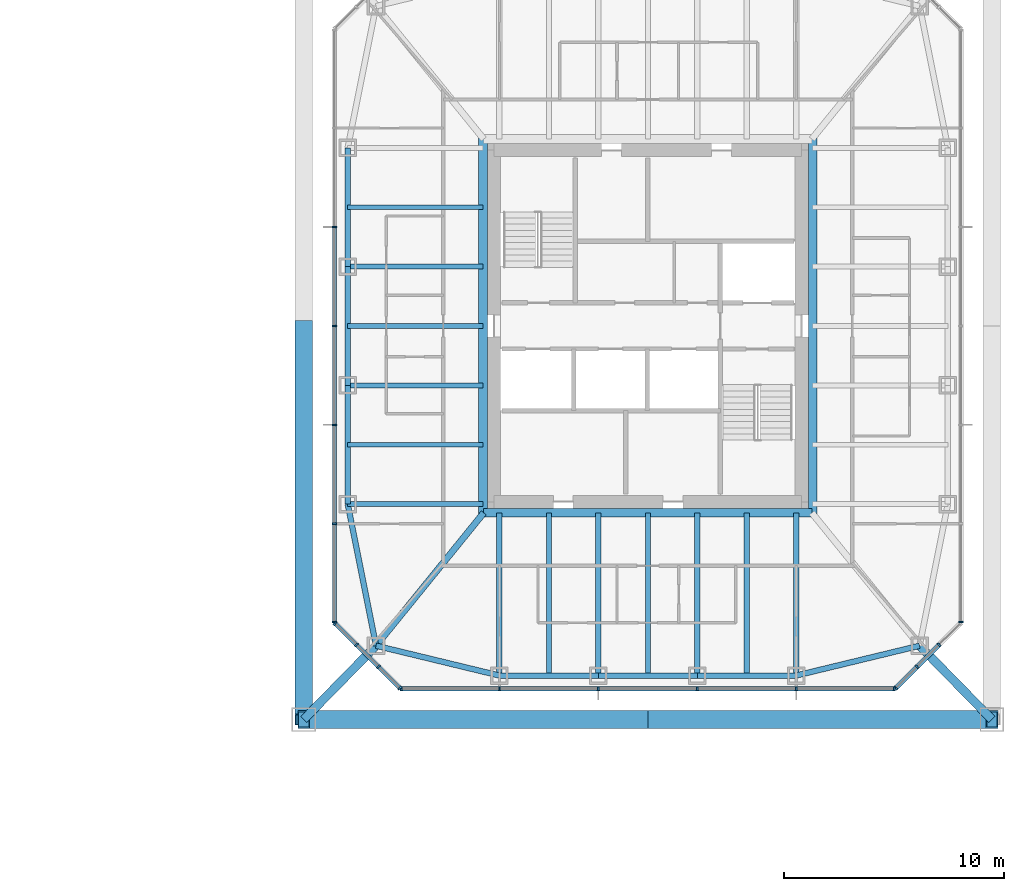
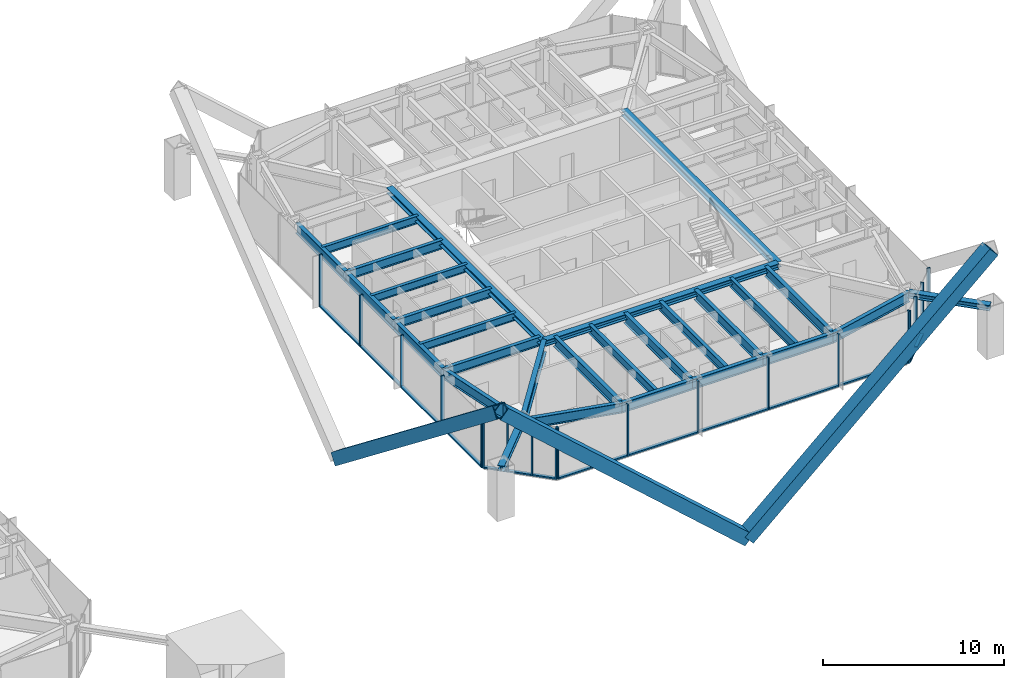
# One storey, part 6 of 23: 38 members, 26 beams, 5 elements without a shape of their own.
"""IFC4 building model written with IfcOpenShell, lengths in metres."""

from ifc_helpers import new_model, si_unit, direction, frame, origin, origin_2d, place, context, subcontext, project, spatial, rectangle, hollow_rectangle, i_section, extrude, material, material_profile, profile_set, type_object, element, aggregate, save


model = new_model("IFC4")

# Units and contexts
model_context = context("Model", 3, precision=1e-05, world=origin(), true_north=direction((0.0, 1.0)))
body_context = subcontext(model_context, "Body", "Model", "MODEL_VIEW")
ifc_project = project(units=[si_unit("LENGTHUNIT", "METRE"), si_unit("AREAUNIT", "SQUARE_METRE"), si_unit("VOLUMEUNIT", "CUBIC_METRE"), si_unit("PLANEANGLEUNIT", "RADIAN"), si_unit("MASSUNIT", "GRAM", prefix="KILO")], contexts=[model_context])

# Site, building, storey
site_placement = place(None, origin())
site = spatial("IfcSite", under=ifc_project, at=site_placement, CompositionType="ELEMENT")
building_placement = place(site_placement, origin())
building = spatial("IfcBuilding", under=site, at=building_placement, Name="Iwan Alto Co-Living Towers", CompositionType="ELEMENT")
storey_placement = place(building_placement, frame((0.0, 0.0, 122.5)))
storey = spatial("IfcBuildingStorey", under=building, at=storey_placement, Name="L33", CompositionType="ELEMENT", Elevation=122.5)

# Curtain wall, members
ifc_material_1 = material(Name="Bronze aluminium unitised frame", Category="aluminium")
curtain_wall_type_1 = type_object("IfcCurtainWallType", Name="CURTAIN WALL CW-C", PredefinedType="NOTDEFINED", material=ifc_material_1)
curtain_wall_1_placement = place(storey_placement, origin())
curtain_wall_1 = element("IfcCurtainWall", 1, at=curtain_wall_1_placement, inside=storey, type_object=curtain_wall_type_1, Name="T2 curtain wall S L33", PredefinedType="NOTDEFINED")
ifc_material_2 = material(Name="Aluminium 6063-T6 bronze anodised", Category="aluminium")
ifc_material_profile_1 = material_profile(ifc_material_2, rectangle(XDim=0.199951171875, YDim=0.080078125, at=origin_2d()), Name="AL 80X200")
ifc_profile_set_1 = profile_set([ifc_material_profile_1], Name="Aluminium 6063-T6 bronze anodised")
member_type_1 = type_object("IfcMemberType", Name="CW-C MULLION 80X200", PredefinedType="MULLION", material=ifc_profile_set_1)
member_1_placement = place(storey_placement, frame((51.7900390625, -16.5, 0.0), z_axis=(0.0, 0.0, 1.0), x_axis=(0.0, 1.0, 0.0)))
member_1 = element("IfcMember", 2, at=member_1_placement, type_object=member_type_1, Name="CW-C mullion 1", PredefinedType="MULLION", context=body_context, shape_type="SweptSolid", body=[
    extrude(rectangle(XDim=0.199951171875, YDim=0.080078125, at=origin_2d()), origin(), (0.0, 0.0, 1.0), 3.5),
])
member_2_placement = place(storey_placement, frame((56.25, -16.5, 0.0), z_axis=(0.0, 0.0, 1.0), x_axis=(0.0, 1.0, 0.0)))
member_2 = element("IfcMember", 3, at=member_2_placement, type_object=member_type_1, Name="CW-C mullion 2", PredefinedType="MULLION", context=body_context, shape_type="SweptSolid", body=[
    extrude(rectangle(XDim=0.199951171875, YDim=0.080078125, at=origin_2d()), origin(), (0.0, 0.0, 1.0), 3.5),
])
member_3_placement = place(storey_placement, frame((60.75, -16.5, 0.0), z_axis=(0.0, 0.0, 1.0), x_axis=(0.0, 1.0, 0.0)))
member_3 = element("IfcMember", 4, at=member_3_placement, type_object=member_type_1, Name="CW-C mullion 3", PredefinedType="MULLION", context=body_context, shape_type="SweptSolid", body=[
    extrude(rectangle(XDim=0.199951171875, YDim=0.080078125, at=origin_2d()), origin(), (0.0, 0.0, 1.0), 3.5),
])
member_4_placement = place(storey_placement, frame((65.25, -16.5, 0.0), z_axis=(0.0, 0.0, 1.0), x_axis=(0.0, 1.0, 0.0)))
member_4 = element("IfcMember", 5, at=member_4_placement, type_object=member_type_1, Name="CW-C mullion 4", PredefinedType="MULLION", context=body_context, shape_type="SweptSolid", body=[
    extrude(rectangle(XDim=0.199951171875, YDim=0.080078125, at=origin_2d()), origin(), (0.0, 0.0, 1.0), 3.5),
])
member_5_placement = place(storey_placement, frame((69.75, -16.5, 0.0), z_axis=(0.0, 0.0, 1.0), x_axis=(0.0, 1.0, 0.0)))
member_5 = element("IfcMember", 6, at=member_5_placement, type_object=member_type_1, Name="CW-C mullion 5", PredefinedType="MULLION", context=body_context, shape_type="SweptSolid", body=[
    extrude(rectangle(XDim=0.199951171875, YDim=0.080078125, at=origin_2d()), origin(), (0.0, 0.0, 1.0), 3.5),
])
member_6_placement = place(storey_placement, frame((74.2099609375, -16.5, 0.0), z_axis=(0.0, 0.0, 1.0), x_axis=(0.0, 1.0, 0.0)))
member_6 = element("IfcMember", 7, at=member_6_placement, type_object=member_type_1, Name="CW-C mullion 6", PredefinedType="MULLION", context=body_context, shape_type="SweptSolid", body=[
    extrude(rectangle(XDim=0.199951171875, YDim=0.080078125, at=origin_2d()), origin(), (0.0, 0.0, 1.0), 3.5),
])

# Curtain wall, member
curtain_wall_2_placement = place(storey_placement, origin())
curtain_wall_2 = element("IfcCurtainWall", 8, at=curtain_wall_2_placement, inside=storey, type_object=curtain_wall_type_1, Name="T2 curtain wall E L33", PredefinedType="NOTDEFINED")
member_7_placement = place(storey_placement, frame((77.25, -13.4599609375, 0.0), z_axis=(0.0, 0.0, 1.0), x_axis=(-1.0, 0.0, 0.0)))
member_7 = element("IfcMember", 9, at=member_7_placement, type_object=member_type_1, Name="CW-C mullion 1", PredefinedType="MULLION", context=body_context, shape_type="SweptSolid", body=[
    extrude(rectangle(XDim=0.199951171875, YDim=0.080078125, at=origin_2d()), origin(), (0.0, 0.0, 1.0), 3.5),
])
aggregate(curtain_wall_2, [member_7])

# Curtain wall, members
curtain_wall_3_placement = place(storey_placement, origin())
curtain_wall_3 = element("IfcCurtainWall", 10, at=curtain_wall_3_placement, inside=storey, type_object=curtain_wall_type_1, Name="T2 curtain wall W L33", PredefinedType="NOTDEFINED")
member_8_placement = place(storey_placement, frame((48.75, 4.5, 0.0), z_axis=(0.0, 0.0, 1.0), x_axis=(1.0, 0.0, 0.0)))
member_8 = element("IfcMember", 11, at=member_8_placement, type_object=member_type_1, Name="CW-C mullion 3", PredefinedType="MULLION", context=body_context, shape_type="SweptSolid", body=[
    extrude(rectangle(XDim=0.199951171875, YDim=0.080078125, at=origin_2d()), origin(), (0.0, 0.0, 1.0), 3.5),
])
member_9_placement = place(storey_placement, frame((48.75, 0.0, 0.0), z_axis=(0.0, 0.0, 1.0), x_axis=(1.0, 0.0, 0.0)))
member_9 = element("IfcMember", 12, at=member_9_placement, type_object=member_type_1, Name="CW-C mullion 4", PredefinedType="MULLION", context=body_context, shape_type="SweptSolid", body=[
    extrude(rectangle(XDim=0.199951171875, YDim=0.080078125, at=origin_2d()), origin(), (0.0, 0.0, 1.0), 3.5),
])
member_10_placement = place(storey_placement, frame((48.75, -4.5, 0.0), z_axis=(0.0, 0.0, 1.0), x_axis=(1.0, 0.0, 0.0)))
member_10 = element("IfcMember", 13, at=member_10_placement, type_object=member_type_1, Name="CW-C mullion 5", PredefinedType="MULLION", context=body_context, shape_type="SweptSolid", body=[
    extrude(rectangle(XDim=0.199951171875, YDim=0.080078125, at=origin_2d()), origin(), (0.0, 0.0, 1.0), 3.5),
])
member_11_placement = place(storey_placement, frame((48.75, -9.0, 0.0), z_axis=(0.0, 0.0, 1.0), x_axis=(1.0, 0.0, 0.0)))
member_11 = element("IfcMember", 14, at=member_11_placement, type_object=member_type_1, Name="CW-C mullion 6", PredefinedType="MULLION", context=body_context, shape_type="SweptSolid", body=[
    extrude(rectangle(XDim=0.199951171875, YDim=0.080078125, at=origin_2d()), origin(), (0.0, 0.0, 1.0), 3.5),
])
member_12_placement = place(storey_placement, frame((48.75, -13.4599609375, 0.0), z_axis=(0.0, 0.0, 1.0), x_axis=(1.0, 0.0, 0.0)))
member_12 = element("IfcMember", 15, at=member_12_placement, type_object=member_type_1, Name="CW-C mullion 7", PredefinedType="MULLION", context=body_context, shape_type="SweptSolid", body=[
    extrude(rectangle(XDim=0.199951171875, YDim=0.080078125, at=origin_2d()), origin(), (0.0, 0.0, 1.0), 3.5),
])

# Member
ifc_material_3 = material(Name="Aluminium 6063-T6 bronze anodised", Category="aluminium")
ifc_material_profile_2 = material_profile(ifc_material_3, rectangle(XDim=0.199951171875, YDim=0.10009765625, at=origin_2d()), Name="AL 200X100")
ifc_profile_set_2 = profile_set([ifc_material_profile_2], Name="Aluminium 6063-T6 bronze anodised")
member_type_2 = type_object("IfcMemberType", Name="CW-C TRANSOM 200X100", PredefinedType="USERDEFINED", material=ifc_profile_set_2)
member_13_placement = place(storey_placement, frame((51.830078125, -16.5, 0.050048828125), z_axis=(1.0, 0.0, 0.0), x_axis=(0.0, 1.0, 0.0)))
member_13 = element("IfcMember", 16, at=member_13_placement, type_object=member_type_2, Name="CW-C transom 1.1", ObjectType="TRANSOM", PredefinedType="USERDEFINED", context=body_context, shape_type="SweptSolid", body=[
    extrude(rectangle(XDim=0.199951171875, YDim=0.10009765625, at=origin_2d()), origin(), (0.0, 0.0, 1.0), 4.3798828125),
])

member_14_placement = place(storey_placement, frame((56.2900390625, -16.5, 0.050048828125), z_axis=(1.0, 0.0, 0.0), x_axis=(0.0, 1.0, 0.0)))
member_14 = element("IfcMember", 17, at=member_14_placement, type_object=member_type_2, Name="CW-C transom 2.1", ObjectType="TRANSOM", PredefinedType="USERDEFINED", context=body_context, shape_type="SweptSolid", body=[
    extrude(rectangle(XDim=0.199951171875, YDim=0.10009765625, at=origin_2d()), origin(), (0.0, 0.0, 1.0), 4.419921875),
])

member_15_placement = place(storey_placement, frame((60.7900390625, -16.5, 0.050048828125), z_axis=(1.0, 0.0, 0.0), x_axis=(0.0, 1.0, 0.0)))
member_15 = element("IfcMember", 18, at=member_15_placement, type_object=member_type_2, Name="CW-C transom 3.1", ObjectType="TRANSOM", PredefinedType="USERDEFINED", context=body_context, shape_type="SweptSolid", body=[
    extrude(rectangle(XDim=0.199951171875, YDim=0.10009765625, at=origin_2d()), origin(), (0.0, 0.0, 1.0), 4.419921875),
])

member_16_placement = place(storey_placement, frame((65.2900390625, -16.5, 0.050048828125), z_axis=(1.0, 0.0, 0.0), x_axis=(0.0, 1.0, 0.0)))
member_16 = element("IfcMember", 19, at=member_16_placement, type_object=member_type_2, Name="CW-C transom 4.1", ObjectType="TRANSOM", PredefinedType="USERDEFINED", context=body_context, shape_type="SweptSolid", body=[
    extrude(rectangle(XDim=0.199951171875, YDim=0.10009765625, at=origin_2d()), origin(), (0.0, 0.0, 1.0), 4.419921875),
])

member_17_placement = place(storey_placement, frame((69.7900390625, -16.5, 0.050048828125), z_axis=(1.0, 0.0, 0.0), x_axis=(0.0, 1.0, 0.0)))
member_17 = element("IfcMember", 20, at=member_17_placement, type_object=member_type_2, Name="CW-C transom 5.1", ObjectType="TRANSOM", PredefinedType="USERDEFINED", context=body_context, shape_type="SweptSolid", body=[
    extrude(rectangle(XDim=0.199951171875, YDim=0.10009765625, at=origin_2d()), origin(), (0.0, 0.0, 1.0), 4.3798828125),
])

aggregate(curtain_wall_1, [member_1, member_2, member_3, member_4, member_5, member_6, member_13, member_14, member_15, member_16, member_17])

member_18_placement = place(storey_placement, frame((48.75, 4.4599609375, 0.050048828125), z_axis=(0.0, -1.0, 0.0), x_axis=(1.0, 0.0, 0.0)))
member_18 = element("IfcMember", 21, at=member_18_placement, type_object=member_type_2, Name="CW-C transom 3.1", ObjectType="TRANSOM", PredefinedType="USERDEFINED", context=body_context, shape_type="SweptSolid", body=[
    extrude(rectangle(XDim=0.199951171875, YDim=0.10009765625, at=origin_2d()), origin(), (0.0, 0.0, 1.0), 4.419921875),
])

member_19_placement = place(storey_placement, frame((48.75, -0.0400390625, 0.050048828125), z_axis=(0.0, -1.0, 0.0), x_axis=(1.0, 0.0, 0.0)))
member_19 = element("IfcMember", 22, at=member_19_placement, type_object=member_type_2, Name="CW-C transom 4.1", ObjectType="TRANSOM", PredefinedType="USERDEFINED", context=body_context, shape_type="SweptSolid", body=[
    extrude(rectangle(XDim=0.199951171875, YDim=0.10009765625, at=origin_2d()), origin(), (0.0, 0.0, 1.0), 4.419921875),
])

member_20_placement = place(storey_placement, frame((48.75, -4.5400390625, 0.050048828125), z_axis=(0.0, -1.0, 0.0), x_axis=(1.0, 0.0, 0.0)))
member_20 = element("IfcMember", 23, at=member_20_placement, type_object=member_type_2, Name="CW-C transom 5.1", ObjectType="TRANSOM", PredefinedType="USERDEFINED", context=body_context, shape_type="SweptSolid", body=[
    extrude(rectangle(XDim=0.199951171875, YDim=0.10009765625, at=origin_2d()), origin(), (0.0, 0.0, 1.0), 4.419921875),
])

member_21_placement = place(storey_placement, frame((48.75, -9.0400390625, 0.050048828125), z_axis=(0.0, -1.0, 0.0), x_axis=(1.0, 0.0, 0.0)))
member_21 = element("IfcMember", 24, at=member_21_placement, type_object=member_type_2, Name="CW-C transom 6.1", ObjectType="TRANSOM", PredefinedType="USERDEFINED", context=body_context, shape_type="SweptSolid", body=[
    extrude(rectangle(XDim=0.199951171875, YDim=0.10009765625, at=origin_2d()), origin(), (0.0, 0.0, 1.0), 4.3798828125),
])

aggregate(curtain_wall_3, [member_8, member_9, member_10, member_11, member_12, member_18, member_19, member_20, member_21])

# Curtain wall, members
ifc_material_4 = material(Name="Bronze aluminium unitised frame", Category="aluminium")
curtain_wall_type_2 = type_object("IfcCurtainWallType", Name="CURTAIN WALL CW-D", PredefinedType="NOTDEFINED", material=ifc_material_4)
curtain_wall_4_placement = place(storey_placement, origin())
curtain_wall_4 = element("IfcCurtainWall", 25, at=curtain_wall_4_placement, inside=storey, type_object=curtain_wall_type_2, Name="T2 chamfer curtain wall SE L33", PredefinedType="NOTDEFINED")
ifc_material_5 = material(Name="Aluminium 6063-T6 bronze anodised", Category="aluminium")
ifc_material_profile_3 = material_profile(ifc_material_5, rectangle(XDim=0.199951171875, YDim=0.080078125, at=origin_2d()), Name="AL 80X200")
ifc_profile_set_3 = profile_set([ifc_material_profile_3], Name="Aluminium 6063-T6 bronze anodised")
member_type_3 = type_object("IfcMemberType", Name="CW-D MULLION 80X200", PredefinedType="MULLION", material=ifc_profile_set_3)
member_22_placement = place(storey_placement, frame((74.2783203125, -16.4716796875, 0.0), z_axis=(0.0, 0.0, 1.0), x_axis=(-0.707106781187, 0.707106781187, 0.0)))
member_22 = element("IfcMember", 26, at=member_22_placement, type_object=member_type_3, Name="CW-D mullion 1", PredefinedType="MULLION", context=body_context, shape_type="SweptSolid", body=[
    extrude(rectangle(XDim=0.199951171875, YDim=0.080078125, at=origin_2d()), origin(), (0.0, 0.0, 1.0), 3.5),
])
member_23_placement = place(storey_placement, frame((75.25, -15.5, 0.0), z_axis=(0.0, 0.0, 1.0), x_axis=(-0.707106781187, 0.707106781187, 0.0)))
member_23 = element("IfcMember", 27, at=member_23_placement, type_object=member_type_3, Name="CW-D mullion 2", PredefinedType="MULLION", context=body_context, shape_type="SweptSolid", body=[
    extrude(rectangle(XDim=0.199951171875, YDim=0.080078125, at=origin_2d()), origin(), (0.0, 0.0, 1.0), 3.5),
])
member_24_placement = place(storey_placement, frame((76.25, -14.5, 0.0), z_axis=(0.0, 0.0, 1.0), x_axis=(-0.707106781187, 0.707106781187, 0.0)))
member_24 = element("IfcMember", 28, at=member_24_placement, type_object=member_type_3, Name="CW-D mullion 3", PredefinedType="MULLION", context=body_context, shape_type="SweptSolid", body=[
    extrude(rectangle(XDim=0.199951171875, YDim=0.080078125, at=origin_2d()), origin(), (0.0, 0.0, 1.0), 3.5),
])

curtain_wall_5_placement = place(storey_placement, origin())
curtain_wall_5 = element("IfcCurtainWall", 29, at=curtain_wall_5_placement, inside=storey, type_object=curtain_wall_type_2, Name="T2 chamfer curtain wall SW L33", PredefinedType="NOTDEFINED")
member_25_placement = place(storey_placement, frame((48.7783203125, -13.5283203125, 0.0), z_axis=(0.0, 0.0, 1.0), x_axis=(0.707106781187, 0.707106781187, 0.0)))
member_25 = element("IfcMember", 30, at=member_25_placement, type_object=member_type_3, Name="CW-D mullion 1", PredefinedType="MULLION", context=body_context, shape_type="SweptSolid", body=[
    extrude(rectangle(XDim=0.199951171875, YDim=0.080078125, at=origin_2d()), origin(), (0.0, 0.0, 1.0), 3.5),
])
member_26_placement = place(storey_placement, frame((49.75, -14.5, 0.0), z_axis=(0.0, 0.0, 1.0), x_axis=(0.707106781187, 0.707106781187, 0.0)))
member_26 = element("IfcMember", 31, at=member_26_placement, type_object=member_type_3, Name="CW-D mullion 2", PredefinedType="MULLION", context=body_context, shape_type="SweptSolid", body=[
    extrude(rectangle(XDim=0.199951171875, YDim=0.080078125, at=origin_2d()), origin(), (0.0, 0.0, 1.0), 3.5),
])
member_27_placement = place(storey_placement, frame((50.75, -15.5, 0.0), z_axis=(0.0, 0.0, 1.0), x_axis=(0.707106781187, 0.707106781187, 0.0)))
member_27 = element("IfcMember", 32, at=member_27_placement, type_object=member_type_3, Name="CW-D mullion 3", PredefinedType="MULLION", context=body_context, shape_type="SweptSolid", body=[
    extrude(rectangle(XDim=0.199951171875, YDim=0.080078125, at=origin_2d()), origin(), (0.0, 0.0, 1.0), 3.5),
])
member_28_placement = place(storey_placement, frame((51.7216796875, -16.4716796875, 0.0), z_axis=(0.0, 0.0, 1.0), x_axis=(0.707106781187, 0.707106781187, 0.0)))
member_28 = element("IfcMember", 33, at=member_28_placement, type_object=member_type_3, Name="CW-D mullion 4", PredefinedType="MULLION", context=body_context, shape_type="SweptSolid", body=[
    extrude(rectangle(XDim=0.199951171875, YDim=0.080078125, at=origin_2d()), origin(), (0.0, 0.0, 1.0), 3.5),
])

# Member
ifc_material_6 = material(Name="Aluminium 6063-T6 bronze anodised", Category="aluminium")
ifc_material_profile_4 = material_profile(ifc_material_6, rectangle(XDim=0.199951171875, YDim=0.10009765625, at=origin_2d()), Name="AL 200X100")
ifc_profile_set_4 = profile_set([ifc_material_profile_4], Name="Aluminium 6063-T6 bronze anodised")
member_type_4 = type_object("IfcMemberType", Name="CW-D TRANSOM 200X100", PredefinedType="USERDEFINED", material=ifc_profile_set_4)
member_29_placement = place(storey_placement, frame((74.306640625, -16.443359375, 0.050048828125), z_axis=(0.707106781187, 0.707106781187, 0.0), x_axis=(-0.707106781187, 0.707106781187, 0.0)))
member_29 = element("IfcMember", 34, at=member_29_placement, type_object=member_type_4, Name="CW-D transom 1.1", ObjectType="TRANSOM", PredefinedType="USERDEFINED", context=body_context, shape_type="SweptSolid", body=[
    extrude(rectangle(XDim=0.199951171875, YDim=0.10009765625, at=origin_2d()), origin(), (0.0, 0.0, 1.0), 1.2939453125),
])

member_30_placement = place(storey_placement, frame((75.2783203125, -15.4716796875, 0.050048828125), z_axis=(0.707106781187, 0.707106781187, 0.0), x_axis=(-0.707106781187, 0.707106781187, 0.0)))
member_30 = element("IfcMember", 35, at=member_30_placement, type_object=member_type_4, Name="CW-D transom 2.1", ObjectType="TRANSOM", PredefinedType="USERDEFINED", context=body_context, shape_type="SweptSolid", body=[
    extrude(rectangle(XDim=0.199951171875, YDim=0.10009765625, at=origin_2d()), origin(), (0.0, 0.0, 1.0), 1.334228515625),
])

aggregate(curtain_wall_4, [member_22, member_23, member_24, member_29, member_30])

member_31_placement = place(storey_placement, frame((48.806640625, -13.556640625, 0.050048828125), z_axis=(0.707106781187, -0.707106781187, 0.0), x_axis=(0.707106781187, 0.707106781187, 0.0)))
member_31 = element("IfcMember", 36, at=member_31_placement, type_object=member_type_4, Name="CW-D transom 1.1", ObjectType="TRANSOM", PredefinedType="USERDEFINED", context=body_context, shape_type="SweptSolid", body=[
    extrude(rectangle(XDim=0.199951171875, YDim=0.10009765625, at=origin_2d()), origin(), (0.0, 0.0, 1.0), 1.2939453125),
])

member_32_placement = place(storey_placement, frame((49.7783203125, -14.5283203125, 0.050048828125), z_axis=(0.707106781187, -0.707106781187, 0.0), x_axis=(0.707106781187, 0.707106781187, 0.0)))
member_32 = element("IfcMember", 37, at=member_32_placement, type_object=member_type_4, Name="CW-D transom 2.1", ObjectType="TRANSOM", PredefinedType="USERDEFINED", context=body_context, shape_type="SweptSolid", body=[
    extrude(rectangle(XDim=0.199951171875, YDim=0.10009765625, at=origin_2d()), origin(), (0.0, 0.0, 1.0), 1.334228515625),
])

member_33_placement = place(storey_placement, frame((50.7783203125, -15.5283203125, 0.050048828125), z_axis=(0.707106781187, -0.707106781187, 0.0), x_axis=(0.707106781187, 0.707106781187, 0.0)))
member_33 = element("IfcMember", 38, at=member_33_placement, type_object=member_type_4, Name="CW-D transom 3.1", ObjectType="TRANSOM", PredefinedType="USERDEFINED", context=body_context, shape_type="SweptSolid", body=[
    extrude(rectangle(XDim=0.199951171875, YDim=0.10009765625, at=origin_2d()), origin(), (0.0, 0.0, 1.0), 1.2939453125),
])

aggregate(curtain_wall_5, [member_25, member_26, member_27, member_28, member_31, member_32, member_33])

# Beams
ifc_material_7 = material(Name="Steel ASTM A992 Gr 50", Category="steel")
ifc_material_profile_5 = material_profile(ifc_material_7, i_section(OverallWidth=0.398681640625, OverallDepth=0.385986328125, WebThickness=0.02099609375, FlangeThickness=0.033203125, at=origin_2d()), Name="W14X176")
ifc_profile_set_5 = profile_set([ifc_material_profile_5], Name="Steel ASTM A992 Gr 50")
beam_type_1 = type_object("IfcBeamType", Name="T2 CORE LEDGER BEAM W14X176", PredefinedType="BEAM", material=ifc_profile_set_5)
beam_1_placement = place(storey_placement, frame((55.538330078125, -8.49951171875, 3.076904296875), z_axis=(1.0, 0.0, 0.0), x_axis=(0.0, 1.0, 0.0)))
element("IfcBeam", 39, at=beam_1_placement, inside=storey, type_object=beam_type_1, Name="T2 core ledger beam S L34", PredefinedType="BEAM", context=body_context, shape_type="SweptSolid", body=[
    extrude(i_section(OverallWidth=0.398681640625, OverallDepth=0.385986328125, WebThickness=0.02099609375, FlangeThickness=0.033203125, at=origin_2d()), origin(), (0.0, 0.0, 1.0), 14.92333984375),
])
for number, where, z_axis, x_axis, name in (
    (40, (70.49951171875, -8.5458984375, 3.076904296875), (0.0, 1.0, 0.0), (-1.0, 0.0, 0.0), "T2 core ledger beam E L34"),
    (41, (55.50048828125, 8.5458984375, 3.076904296875), (0.0, -1.0, 0.0), (1.0, 0.0, 0.0), "T2 core ledger beam W L34"),
):
    element("IfcBeam", number, at=place(storey_placement, frame(where, z_axis=z_axis, x_axis=x_axis)), inside=storey, type_object=beam_type_1, Name=name, PredefinedType="BEAM", context=body_context, shape_type="SweptSolid", body=[
        extrude(i_section(OverallWidth=0.398681640625, OverallDepth=0.385986328125, WebThickness=0.02099609375, FlangeThickness=0.033203125, at=origin_2d()), origin(), (0.0, 0.0, 1.0), 17.091796875),
    ])
ifc_material_8 = material(Name="Steel ASTM A992 Gr 50", Category="steel")
ifc_material_profile_6 = material_profile(ifc_material_8, i_section(OverallWidth=0.2919921875, OverallDepth=0.8408203125, WebThickness=0.0146484375, FlangeThickness=0.021728515625, at=origin_2d()), Name="W33X130")
ifc_profile_set_6 = profile_set([ifc_material_profile_6], Name="Steel ASTM A992 Gr 50")
beam_type_2 = type_object("IfcBeamType", Name="T2 CORNER GIRDER W33X130", PredefinedType="BEAM", material=ifc_profile_set_6)
beam_2_placement = place(storey_placement, frame((50.638671875, -14.542724609375, 2.849609375), z_axis=(0.629783024592, 0.776771100091, 0.0), x_axis=(-0.776771100091, 0.629783024592, 0.0)))
element("IfcBeam", 42, at=beam_2_placement, inside=storey, type_object=beam_type_2, Name="T2 corner girder CSW L34", PredefinedType="BEAM", context=body_context, shape_type="SweptSolid", body=[
    extrude(i_section(OverallWidth=0.2919921875, OverallDepth=0.8408203125, WebThickness=0.0146484375, FlangeThickness=0.021728515625, at=origin_2d()), origin(), (0.0, 0.0, 1.0), 7.780029296875),
])
ifc_material_9 = material(Name="Steel ASTM A992 Gr 50", Category="steel")
ifc_material_profile_7 = material_profile(ifc_material_9, i_section(OverallWidth=0.25390625, OverallDepth=0.683349609375, WebThickness=0.012451171875, FlangeThickness=0.018798828125, at=origin_2d()), Name="W27X94")
ifc_profile_set_7 = profile_set([ifc_material_profile_7], Name="Steel ASTM A992 Gr 50")
beam_type_3 = type_object("IfcBeamType", Name="T2 EDGE BEAM W27X94", PredefinedType="BEAM", material=ifc_profile_set_7)
beam_3_placement = place(storey_placement, frame((50.638671875, -14.542724609375, 2.928466796875), z_axis=(0.971974673138, -0.235085590323, 0.0), x_axis=(0.235085590323, 0.971974673138, 0.0)))
element("IfcBeam", 43, at=beam_3_placement, inside=storey, type_object=beam_type_3, Name="T2 edge beam CSW L34", PredefinedType="BEAM", context=body_context, shape_type="SweptSolid", body=[
    extrude(i_section(OverallWidth=0.25390625, OverallDepth=0.683349609375, WebThickness=0.012451171875, FlangeThickness=0.018798828125, at=origin_2d()), origin(), (0.0, 0.0, 1.0), 5.773193359375),
])
for number, where, z_axis, x_axis, name in (
    (44, (56.25, -15.89990234375, 2.928466796875), (1.0, 0.0, 0.0), (0.0, 1.0, 0.0), "T2 edge beam S1 L34"),
    (45, (60.75, -15.89990234375, 2.928466796875), (1.0, 0.0, 0.0), (0.0, 1.0, 0.0), "T2 edge beam S2 L34"),
    (46, (65.25, -15.89990234375, 2.928466796875), (1.0, 0.0, 0.0), (0.0, 1.0, 0.0), "T2 edge beam S3 L34"),
):
    element("IfcBeam", number, at=place(storey_placement, frame(where, z_axis=z_axis, x_axis=x_axis)), inside=storey, type_object=beam_type_3, Name=name, PredefinedType="BEAM", context=body_context, shape_type="SweptSolid", body=[
        extrude(i_section(OverallWidth=0.25390625, OverallDepth=0.683349609375, WebThickness=0.012451171875, FlangeThickness=0.018798828125, at=origin_2d()), origin(), (0.0, 0.0, 1.0), 4.5),
    ])
beam_4_placement = place(storey_placement, frame((69.75, -15.89990234375, 2.928466796875), z_axis=(0.971974673138, 0.235085590323, 0.0), x_axis=(-0.235085590323, 0.971974673138, 0.0)))
element("IfcBeam", 47, at=beam_4_placement, inside=storey, type_object=beam_type_3, Name="T2 edge beam S4 L34", PredefinedType="BEAM", context=body_context, shape_type="SweptSolid", body=[
    extrude(i_section(OverallWidth=0.25390625, OverallDepth=0.683349609375, WebThickness=0.012451171875, FlangeThickness=0.018798828125, at=origin_2d()), origin(), (0.0, 0.0, 1.0), 5.773193359375),
])
beam_5_placement = place(storey_placement, frame((49.35009765625, 8.10009765625, 2.928466796875), z_axis=(0.0, -1.0, 0.0), x_axis=(1.0, 0.0, 0.0)))
element("IfcBeam", 48, at=beam_5_placement, inside=storey, type_object=beam_type_3, Name="T2 edge beam W1 L34", PredefinedType="BEAM", context=body_context, shape_type="SweptSolid", body=[
    extrude(i_section(OverallWidth=0.25390625, OverallDepth=0.683349609375, WebThickness=0.012451171875, FlangeThickness=0.018798828125, at=origin_2d()), origin(), (0.0, 0.0, 1.0), 5.400146484375),
])
beam_6_placement = place(storey_placement, frame((49.35009765625, 2.699951171875, 2.928466796875), z_axis=(0.0, -1.0, 0.0), x_axis=(1.0, 0.0, 0.0)))
element("IfcBeam", 49, at=beam_6_placement, inside=storey, type_object=beam_type_3, Name="T2 edge beam W2 L34", PredefinedType="BEAM", context=body_context, shape_type="SweptSolid", body=[
    extrude(i_section(OverallWidth=0.25390625, OverallDepth=0.683349609375, WebThickness=0.012451171875, FlangeThickness=0.018798828125, at=origin_2d()), origin(), (0.0, 0.0, 1.0), 5.39990234375),
])
beam_7_placement = place(storey_placement, frame((49.35009765625, -2.699951171875, 2.928466796875), z_axis=(0.0, -1.0, 0.0), x_axis=(1.0, 0.0, 0.0)))
element("IfcBeam", 50, at=beam_7_placement, inside=storey, type_object=beam_type_3, Name="T2 edge beam W3 L34", PredefinedType="BEAM", context=body_context, shape_type="SweptSolid", body=[
    extrude(i_section(OverallWidth=0.25390625, OverallDepth=0.683349609375, WebThickness=0.012451171875, FlangeThickness=0.018798828125, at=origin_2d()), origin(), (0.0, 0.0, 1.0), 5.400146484375),
])
beam_8_placement = place(storey_placement, frame((49.35009765625, -8.10009765625, 2.928466796875), z_axis=(0.196123281025, -0.980579246487, 0.0), x_axis=(0.980579246487, 0.196123281025, 0.0)))
element("IfcBeam", 51, at=beam_8_placement, inside=storey, type_object=beam_type_3, Name="T2 edge beam W4 L34", PredefinedType="BEAM", context=body_context, shape_type="SweptSolid", body=[
    extrude(i_section(OverallWidth=0.25390625, OverallDepth=0.683349609375, WebThickness=0.012451171875, FlangeThickness=0.018798828125, at=origin_2d()), origin(), (0.0, 0.0, 1.0), 6.5703125),
])

# Members
ifc_material_10 = material(Name="Steel ASTM A572 Gr 50", Category="steel")
ifc_material_profile_8 = material_profile(ifc_material_10, hollow_rectangle(XDim=0.800048828125, YDim=0.800048828125, WallThickness=0.050048828125, at=origin_2d()), Name="BOX 800X800X50")
ifc_profile_set_8 = profile_set([ifc_material_profile_8], Name="Steel ASTM A572 Gr 50")
member_type_5 = type_object("IfcMemberType", Name="T2 MEGA BRACE BOX 800X800X50", PredefinedType="BRACE", material=ifc_profile_set_8)
for number, where, z_axis, x_axis, name in (
    (52, (63.0, -17.89990234375, -7.0), (0.745301519455, 0.0, 0.666727564376), (0.0, 1.0, 0.0), "T2 mega brace Z2B S 1 upper"),
    (53, (63.0, -17.89990234375, -7.0), (-0.745301519455, 0.0, 0.666727564376), (0.0, -1.0, 0.0), "T2 mega brace Z2B S 2 upper"),
):
    element("IfcMember", number, at=place(storey_placement, frame(where, z_axis=z_axis, x_axis=x_axis)), inside=storey, type_object=member_type_5, Name=name, PredefinedType="BRACE", context=body_context, shape_type="SweptSolid", body=[
        extrude(hollow_rectangle(XDim=0.800048828125, YDim=0.800048828125, WallThickness=0.050048828125, at=origin_2d()), origin(), (0.0, 0.0, 1.0), 20.998046875),
    ])
member_34_placement = place(storey_placement, frame((47.35009765625, 0.0, -7.0), z_axis=(0.0, -0.787689053125, 0.616073011572), x_axis=(1.0, 0.0, 0.0)))
element("IfcMember", 54, at=member_34_placement, inside=storey, type_object=member_type_5, Name="T2 mega brace Z2B W 1 upper", PredefinedType="BRACE", context=body_context, shape_type="SweptSolid", body=[
    extrude(hollow_rectangle(XDim=0.800048828125, YDim=0.800048828125, WallThickness=0.050048828125, at=origin_2d()), origin(), (0.0, 0.0, 1.0), 22.724609375),
])
ifc_material_11 = material(Name="Steel ASTM A992 Gr 50", Category="steel")
ifc_material_profile_9 = material_profile(ifc_material_11, i_section(OverallWidth=0.393798828125, OverallDepth=0.3759765625, WebThickness=0.017333984375, FlangeThickness=0.027587890625, at=origin_2d()), Name="W14X145")
ifc_profile_set_9 = profile_set([ifc_material_profile_9], Name="Steel ASTM A992 Gr 50")
member_type_6 = type_object("IfcMemberType", Name="T2 MEGA COLUMN FLOOR TIE W14X145", PredefinedType="STRUT", material=ifc_profile_set_9)
for number, where, z_axis, x_axis, name in (
    (55, (47.35009765625, -17.89990234375, 3.08203125), (0.699770096147, 0.714368121166, 0.0), (-0.714368121166, 0.699770096147, 0.0), "T2 mega column floor tie SW L34"),
    (56, (78.64990234375, -17.89990234375, 3.08203125), (-0.699770096147, 0.714368121166, 0.0), (-0.714368121166, -0.699770096147, 0.0), "T2 mega column floor tie SE L34"),
):
    element("IfcMember", number, at=place(storey_placement, frame(where, z_axis=z_axis, x_axis=x_axis)), inside=storey, type_object=member_type_6, Name=name, PredefinedType="STRUT", context=body_context, shape_type="SweptSolid", body=[
        extrude(i_section(OverallWidth=0.393798828125, OverallDepth=0.3759765625, WebThickness=0.017333984375, FlangeThickness=0.027587890625, at=origin_2d()), origin(), (0.0, 0.0, 1.0), 4.699462890625),
    ])

# Beams
ifc_material_12 = material(Name="Steel ASTM A992 Gr 50", Category="steel")
ifc_material_profile_10 = material_profile(ifc_material_12, i_section(OverallWidth=0.228271484375, OverallDepth=0.607177734375, WebThickness=0.01123046875, FlangeThickness=0.017333984375, at=origin_2d()), Name="W24X76")
ifc_profile_set_10 = profile_set([ifc_material_profile_10], Name="Steel ASTM A992 Gr 50")
beam_type_4 = type_object("IfcBeamType", Name="T2 RADIAL BEAM W24X76", PredefinedType="BEAM", material=ifc_profile_set_10)
for number, where, z_axis, x_axis, name in (
    (57, (49.35009765625, 2.699951171875, 2.966552734375), (1.0, 0.0, 0.0), (0.0, 1.0, 0.0), "T2 radial beam W2 L34"),
    (58, (49.35009765625, -2.699951171875, 2.966552734375), (1.0, 0.0, 0.0), (0.0, 1.0, 0.0), "T2 radial beam W3 L34"),
    (59, (49.35009765625, -8.10009765625, 2.966552734375), (1.0, 0.0, 0.0), (0.0, 1.0, 0.0), "T2 radial beam W4 L34"),
):
    element("IfcBeam", number, at=place(storey_placement, frame(where, z_axis=z_axis, x_axis=x_axis)), inside=storey, type_object=beam_type_4, Name=name, PredefinedType="BEAM", context=body_context, shape_type="SweptSolid", body=[
        extrude(i_section(OverallWidth=0.228271484375, OverallDepth=0.607177734375, WebThickness=0.01123046875, FlangeThickness=0.017333984375, at=origin_2d()), origin(), (0.0, 0.0, 1.0), 6.150390625),
    ])
ifc_material_13 = material(Name="Steel ASTM A992 Gr 50", Category="steel")
ifc_material_profile_11 = material_profile(ifc_material_13, i_section(OverallWidth=0.25390625, OverallDepth=0.683349609375, WebThickness=0.012451171875, FlangeThickness=0.018798828125, at=origin_2d()), Name="W27X94")
ifc_profile_set_11 = profile_set([ifc_material_profile_11], Name="Steel ASTM A992 Gr 50")
beam_type_5 = type_object("IfcBeamType", Name="T2 RADIAL BEAM W27X94", PredefinedType="BEAM", material=ifc_profile_set_11)
for number, where, z_axis, x_axis, name in (
    (60, (56.25, -15.89990234375, 2.928466796875), (0.0, 1.0, 0.0), (-1.0, 0.0, 0.0), "T2 radial beam S1 L34"),
    (61, (60.75, -15.89990234375, 2.928466796875), (0.0, 1.0, 0.0), (-1.0, 0.0, 0.0), "T2 radial beam S2 L34"),
    (62, (65.25, -15.89990234375, 2.928466796875), (0.0, 1.0, 0.0), (-1.0, 0.0, 0.0), "T2 radial beam S3 L34"),
    (63, (69.75, -15.89990234375, 2.928466796875), (0.0, 1.0, 0.0), (-1.0, 0.0, 0.0), "T2 radial beam S4 L34"),
):
    element("IfcBeam", number, at=place(storey_placement, frame(where, z_axis=z_axis, x_axis=x_axis)), inside=storey, type_object=beam_type_5, Name=name, PredefinedType="BEAM", context=body_context, shape_type="SweptSolid", body=[
        extrude(i_section(OverallWidth=0.25390625, OverallDepth=0.683349609375, WebThickness=0.012451171875, FlangeThickness=0.018798828125, at=origin_2d()), origin(), (0.0, 0.0, 1.0), 7.400390625),
    ])
ifc_material_14 = material(Name="Steel ASTM A992 Gr 50", Category="steel")
ifc_material_profile_12 = material_profile(ifc_material_14, i_section(OverallWidth=0.209228515625, OverallDepth=0.533447265625, WebThickness=0.01025390625, FlangeThickness=0.015625, at=origin_2d()), Name="W21X62")
ifc_profile_set_12 = profile_set([ifc_material_profile_12], Name="Steel ASTM A992 Gr 50")
beam_type_6 = type_object("IfcBeamType", Name="T2 SECONDARY BEAM W21X62", PredefinedType="JOIST", material=ifc_profile_set_12)
for number, where, z_axis, x_axis, name in (
    (64, (49.35009765625, 5.39990234375, 3.00341796875), (1.0, 0.0, 0.0), (0.0, 1.0, 0.0), "T2 secondary beam W1 L34"),
    (65, (49.35009765625, 0.0, 3.00341796875), (1.0, 0.0, 0.0), (0.0, 1.0, 0.0), "T2 secondary beam W2 L34"),
    (66, (49.35009765625, -5.39990234375, 3.00341796875), (1.0, 0.0, 0.0), (0.0, 1.0, 0.0), "T2 secondary beam W3 L34"),
):
    element("IfcBeam", number, at=place(storey_placement, frame(where, z_axis=z_axis, x_axis=x_axis)), inside=storey, type_object=beam_type_6, Name=name, PredefinedType="JOIST", context=body_context, shape_type="SweptSolid", body=[
        extrude(i_section(OverallWidth=0.209228515625, OverallDepth=0.533447265625, WebThickness=0.01025390625, FlangeThickness=0.015625, at=origin_2d()), origin(), (0.0, 0.0, 1.0), 6.150390625),
    ])
ifc_material_15 = material(Name="Steel ASTM A992 Gr 50", Category="steel")
ifc_material_profile_13 = material_profile(ifc_material_15, i_section(OverallWidth=0.228271484375, OverallDepth=0.607177734375, WebThickness=0.01123046875, FlangeThickness=0.017333984375, at=origin_2d()), Name="W24X76")
ifc_profile_set_13 = profile_set([ifc_material_profile_13], Name="Steel ASTM A992 Gr 50")
beam_type_7 = type_object("IfcBeamType", Name="T2 SECONDARY BEAM W24X76", PredefinedType="JOIST", material=ifc_profile_set_13)
for number, where, z_axis, x_axis, name in (
    (67, (58.5, -15.89990234375, 2.966552734375), (0.0, 1.0, 0.0), (-1.0, 0.0, 0.0), "T2 secondary beam S1 L34"),
    (68, (63.0, -15.89990234375, 2.966552734375), (0.0, 1.0, 0.0), (-1.0, 0.0, 0.0), "T2 secondary beam S2 L34"),
    (69, (67.5, -15.89990234375, 2.966552734375), (0.0, 1.0, 0.0), (-1.0, 0.0, 0.0), "T2 secondary beam S3 L34"),
):
    element("IfcBeam", number, at=place(storey_placement, frame(where, z_axis=z_axis, x_axis=x_axis)), inside=storey, type_object=beam_type_7, Name=name, PredefinedType="JOIST", context=body_context, shape_type="SweptSolid", body=[
        extrude(i_section(OverallWidth=0.228271484375, OverallDepth=0.607177734375, WebThickness=0.01123046875, FlangeThickness=0.017333984375, at=origin_2d()), origin(), (0.0, 0.0, 1.0), 7.400390625),
    ])

save(model, "model.ifc")
